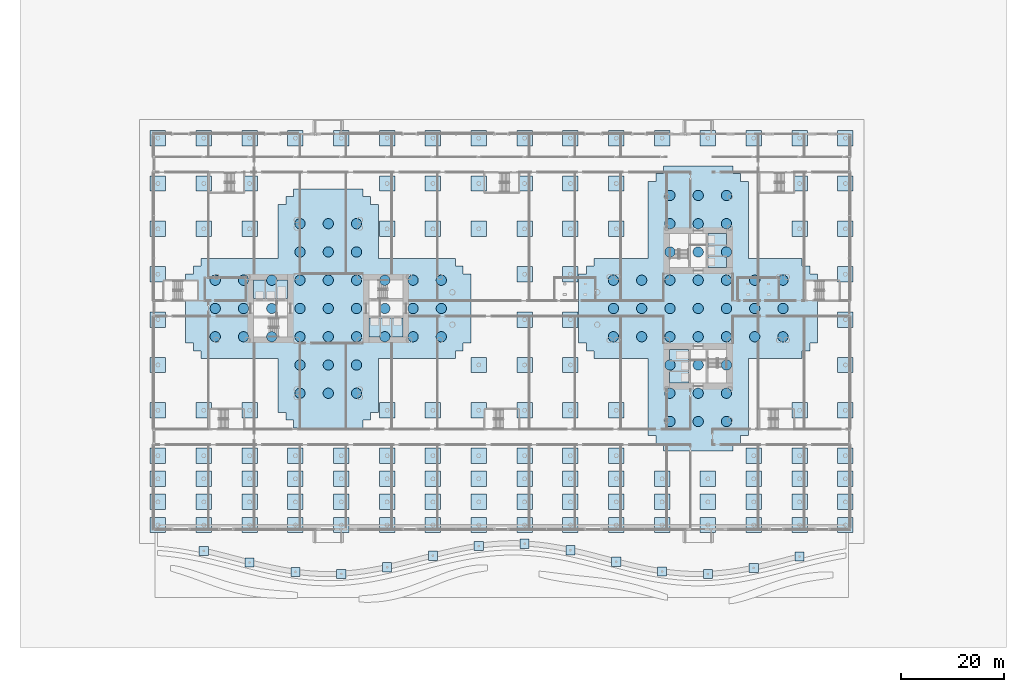
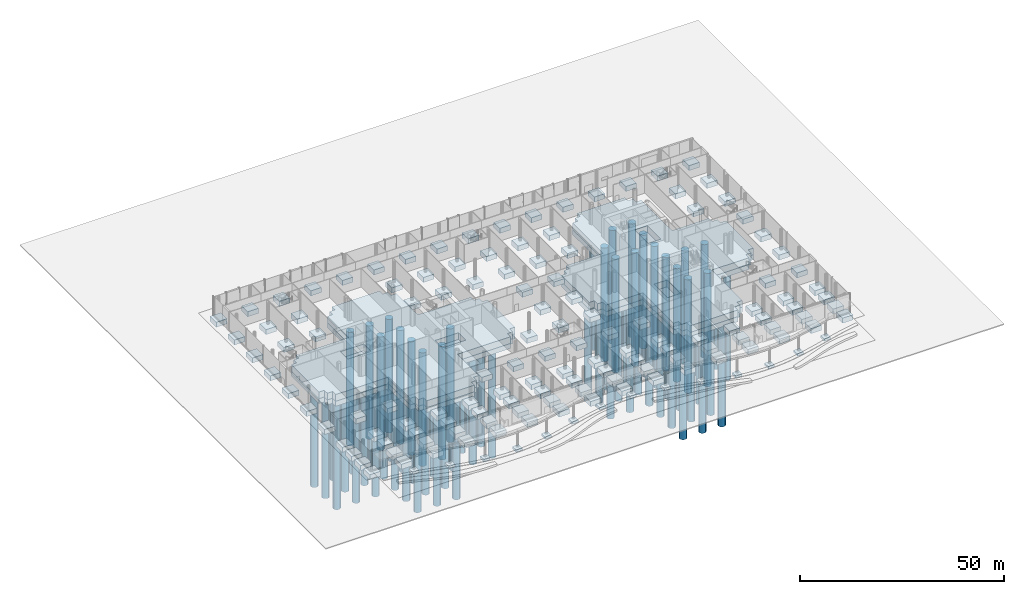
# One storey, part 1 of 75: 142 footings, 78 piles.
"""IFC4 building model written with IfcOpenShell, lengths in metres."""

from ifc_helpers import new_model, si_unit, direction, frame, origin, origin_2d, place, context, subcontext, project, spatial, polyline, rectangle, circle, outline, extrude, material, layer, layer_set, material_profile, profile_set, type_object, element, save


model = new_model("IFC4")

# Units and contexts
model_context = context("Model", 3, precision=1e-05, world=origin(), true_north=direction((0.0, 1.0)))
body_context = subcontext(model_context, "Body", "Model", "MODEL_VIEW")
ifc_project = project(units=[si_unit("LENGTHUNIT", "METRE"), si_unit("AREAUNIT", "SQUARE_METRE"), si_unit("VOLUMEUNIT", "CUBIC_METRE"), si_unit("PLANEANGLEUNIT", "RADIAN"), si_unit("MASSUNIT", "GRAM", prefix="KILO")], contexts=[model_context])

# Site, building, storey
site_placement = place(None, origin())
site = spatial("IfcSite", under=ifc_project, at=site_placement, CompositionType="ELEMENT")
building_placement = place(site_placement, origin())
building = spatial("IfcBuilding", under=site, at=building_placement, Name="Ipe Terrace Towers", CompositionType="ELEMENT")
storey_placement = place(building_placement, origin())
storey = spatial("IfcBuildingStorey", under=building, at=storey_placement, Name="L00", CompositionType="ELEMENT", Elevation=0.0)

# Piles
ifc_material_1 = material(Name="Concrete C40/50", Category="concrete")
ifc_material_profile = material_profile(ifc_material_1, circle(Radius=1.0, at=origin_2d()), Name="BORED PILE D2000")
ifc_profile_set = profile_set([ifc_material_profile], Name="Concrete C40/50")
pile_type = type_object("IfcPileType", Name="BORED PILE D2000", PredefinedType="BORED", material=ifc_profile_set)
for number, where, z_axis, x_axis, name in (
    (1, (-41.5, -16.5, -3.75), (0.0, 0.0, -1.0), (1.0, 0.0, 0.0), "Bored pile T1-BP001"),
    (2, (-36.0, -16.5, -3.75), (0.0, 0.0, -1.0), (1.0, 0.0, 0.0), "Bored pile T1-BP002"),
    (3, (-30.5, -16.5, -3.75), (0.0, 0.0, -1.0), (1.0, 0.0, 0.0), "Bored pile T1-BP003"),
    (4, (-41.5, -11.0, -3.75), (0.0, 0.0, -1.0), (1.0, 0.0, 0.0), "Bored pile T1-BP004"),
    (5, (-36.0, -11.0, -3.75), (0.0, 0.0, -1.0), (1.0, 0.0, 0.0), "Bored pile T1-BP005"),
    (6, (-30.5, -11.0, -3.75), (0.0, 0.0, -1.0), (1.0, 0.0, 0.0), "Bored pile T1-BP006"),
    (7, (-58.0, -5.5, -3.75), (0.0, 0.0, -1.0), (1.0, 0.0, 0.0), "Bored pile T1-BP007"),
    (8, (-52.5, -5.5, -3.75), (0.0, 0.0, -1.0), (1.0, 0.0, 0.0), "Bored pile T1-BP008"),
    (9, (-47.0, -5.5, -3.75), (0.0, 0.0, -1.0), (1.0, 0.0, 0.0), "Bored pile T1-BP009"),
    (10, (-41.5, -5.5, -3.75), (0.0, 0.0, -1.0), (1.0, 0.0, 0.0), "Bored pile T1-BP010"),
    (11, (-36.0, -5.5, -3.75), (0.0, 0.0, -1.0), (1.0, 0.0, 0.0), "Bored pile T1-BP011"),
    (12, (-30.5, -5.5, -3.75), (0.0, 0.0, -1.0), (1.0, 0.0, 0.0), "Bored pile T1-BP012"),
    (13, (-25.0, -5.5, -3.75), (0.0, 0.0, -1.0), (1.0, 0.0, 0.0), "Bored pile T1-BP013"),
    (14, (-19.5, -5.5, -3.75), (0.0, 0.0, -1.0), (1.0, 0.0, 0.0), "Bored pile T1-BP014"),
    (15, (-14.0, -5.5, -3.75), (0.0, 0.0, -1.0), (1.0, 0.0, 0.0), "Bored pile T1-BP015"),
    (16, (-58.0, 0.0, -3.75), (0.0, 0.0, -1.0), (1.0, 0.0, 0.0), "Bored pile T1-BP016"),
    (17, (-52.5, 0.0, -3.75), (0.0, 0.0, -1.0), (1.0, 0.0, 0.0), "Bored pile T1-BP017"),
    (18, (-47.0, 0.0, -3.75), (0.0, 0.0, -1.0), (1.0, 0.0, 0.0), "Bored pile T1-BP018"),
    (19, (-41.5, 0.0, -3.75), (0.0, 0.0, -1.0), (1.0, 0.0, 0.0), "Bored pile T1-BP019"),
    (20, (-36.0, 0.0, -3.75), (0.0, 0.0, -1.0), (1.0, 0.0, 0.0), "Bored pile T1-BP020"),
    (21, (-30.5, 0.0, -3.75), (0.0, 0.0, -1.0), (1.0, 0.0, 0.0), "Bored pile T1-BP021"),
    (22, (-25.0, 0.0, -3.75), (0.0, 0.0, -1.0), (1.0, 0.0, 0.0), "Bored pile T1-BP022"),
    (23, (-19.5, 0.0, -3.75), (0.0, 0.0, -1.0), (1.0, 0.0, 0.0), "Bored pile T1-BP023"),
    (24, (-14.0, 0.0, -3.75), (0.0, 0.0, -1.0), (1.0, 0.0, 0.0), "Bored pile T1-BP024"),
    (25, (-58.0, 5.5, -3.75), (0.0, 0.0, -1.0), (1.0, 0.0, 0.0), "Bored pile T1-BP025"),
    (26, (-52.5, 5.5, -3.75), (0.0, 0.0, -1.0), (1.0, 0.0, 0.0), "Bored pile T1-BP026"),
    (27, (-47.0, 5.5, -3.75), (0.0, 0.0, -1.0), (1.0, 0.0, 0.0), "Bored pile T1-BP027"),
    (28, (-41.5, 5.5, -3.75), (0.0, 0.0, -1.0), (1.0, 0.0, 0.0), "Bored pile T1-BP028"),
    (29, (-36.0, 5.5, -3.75), (0.0, 0.0, -1.0), (1.0, 0.0, 0.0), "Bored pile T1-BP029"),
    (30, (-30.5, 5.5, -3.75), (0.0, 0.0, -1.0), (1.0, 0.0, 0.0), "Bored pile T1-BP030"),
    (31, (-25.0, 5.5, -3.75), (0.0, 0.0, -1.0), (1.0, 0.0, 0.0), "Bored pile T1-BP031"),
    (32, (-19.5, 5.5, -3.75), (0.0, 0.0, -1.0), (1.0, 0.0, 0.0), "Bored pile T1-BP032"),
    (33, (-14.0, 5.5, -3.75), (0.0, 0.0, -1.0), (1.0, 0.0, 0.0), "Bored pile T1-BP033"),
    (34, (-41.5, 11.0, -3.75), (0.0, 0.0, -1.0), (1.0, 0.0, 0.0), "Bored pile T1-BP034"),
    (35, (-36.0, 11.0, -3.75), (0.0, 0.0, -1.0), (1.0, 0.0, 0.0), "Bored pile T1-BP035"),
    (36, (-30.5, 11.0, -3.75), (0.0, 0.0, -1.0), (1.0, 0.0, 0.0), "Bored pile T1-BP036"),
    (37, (-41.5, 16.5, -3.75), (0.0, 0.0, -1.0), (1.0, 0.0, 0.0), "Bored pile T1-BP037"),
    (38, (-36.0, 16.5, -3.75), (0.0, 0.0, -1.0), (1.0, 0.0, 0.0), "Bored pile T1-BP038"),
    (39, (-30.5, 16.5, -3.75), (0.0, 0.0, -1.0), (1.0, 0.0, 0.0), "Bored pile T1-BP039"),
    (40, (30.5, -22.0, -3.75), (0.0, 0.0, -1.0), (1.0, 0.0, 0.0), "Bored pile T2-BP001"),
    (41, (36.0, -22.0, -3.75), (0.0, 0.0, -1.0), (1.0, 0.0, 0.0), "Bored pile T2-BP002"),
    (42, (41.5, -22.0, -3.75), (0.0, 0.0, -1.0), (1.0, 0.0, 0.0), "Bored pile T2-BP003"),
    (43, (30.5, -16.5, -3.75), (0.0, 0.0, -1.0), (1.0, 0.0, 0.0), "Bored pile T2-BP004"),
    (44, (36.0, -16.5, -3.75), (0.0, 0.0, -1.0), (1.0, 0.0, 0.0), "Bored pile T2-BP005"),
    (45, (41.5, -16.5, -3.75), (0.0, 0.0, -1.0), (1.0, 0.0, 0.0), "Bored pile T2-BP006"),
    (46, (30.5, -11.0, -3.75), (0.0, 0.0, -1.0), (1.0, 0.0, 0.0), "Bored pile T2-BP007"),
    (47, (36.0, -11.0, -3.75), (0.0, 0.0, -1.0), (1.0, 0.0, 0.0), "Bored pile T2-BP008"),
    (48, (41.5, -11.0, -3.75), (0.0, 0.0, -1.0), (1.0, 0.0, 0.0), "Bored pile T2-BP009"),
    (49, (19.5, -5.5, -3.75), (0.0, 0.0, -1.0), (1.0, 0.0, 0.0), "Bored pile T2-BP010"),
    (50, (25.0, -5.5, -3.75), (0.0, 0.0, -1.0), (1.0, 0.0, 0.0), "Bored pile T2-BP011"),
    (51, (30.5, -5.5, -3.75), (0.0, 0.0, -1.0), (1.0, 0.0, 0.0), "Bored pile T2-BP012"),
    (52, (36.0, -5.5, -3.75), (0.0, 0.0, -1.0), (1.0, 0.0, 0.0), "Bored pile T2-BP013"),
    (53, (41.5, -5.5, -3.75), (0.0, 0.0, -1.0), (1.0, 0.0, 0.0), "Bored pile T2-BP014"),
    (54, (47.0, -5.5, -3.75), (0.0, 0.0, -1.0), (1.0, 0.0, 0.0), "Bored pile T2-BP015"),
    (55, (52.5, -5.5, -3.75), (0.0, 0.0, -1.0), (1.0, 0.0, 0.0), "Bored pile T2-BP016"),
    (56, (19.5, 0.0, -3.75), (0.0, 0.0, -1.0), (1.0, 0.0, 0.0), "Bored pile T2-BP017"),
    (57, (25.0, 0.0, -3.75), (0.0, 0.0, -1.0), (1.0, 0.0, 0.0), "Bored pile T2-BP018"),
    (58, (30.5, 0.0, -3.75), (0.0, 0.0, -1.0), (1.0, 0.0, 0.0), "Bored pile T2-BP019"),
    (59, (36.0, 0.0, -3.75), (0.0, 0.0, -1.0), (1.0, 0.0, 0.0), "Bored pile T2-BP020"),
    (60, (41.5, 0.0, -3.75), (0.0, 0.0, -1.0), (1.0, 0.0, 0.0), "Bored pile T2-BP021"),
    (61, (47.0, 0.0, -3.75), (0.0, 0.0, -1.0), (1.0, 0.0, 0.0), "Bored pile T2-BP022"),
    (62, (52.5, 0.0, -3.75), (0.0, 0.0, -1.0), (1.0, 0.0, 0.0), "Bored pile T2-BP023"),
    (63, (19.5, 5.5, -3.75), (0.0, 0.0, -1.0), (1.0, 0.0, 0.0), "Bored pile T2-BP024"),
    (64, (25.0, 5.5, -3.75), (0.0, 0.0, -1.0), (1.0, 0.0, 0.0), "Bored pile T2-BP025"),
    (65, (30.5, 5.5, -3.75), (0.0, 0.0, -1.0), (1.0, 0.0, 0.0), "Bored pile T2-BP026"),
    (66, (36.0, 5.5, -3.75), (0.0, 0.0, -1.0), (1.0, 0.0, 0.0), "Bored pile T2-BP027"),
    (67, (41.5, 5.5, -3.75), (0.0, 0.0, -1.0), (1.0, 0.0, 0.0), "Bored pile T2-BP028"),
    (68, (47.0, 5.5, -3.75), (0.0, 0.0, -1.0), (1.0, 0.0, 0.0), "Bored pile T2-BP029"),
    (69, (52.5, 5.5, -3.75), (0.0, 0.0, -1.0), (1.0, 0.0, 0.0), "Bored pile T2-BP030"),
    (70, (30.5, 11.0, -3.75), (0.0, 0.0, -1.0), (1.0, 0.0, 0.0), "Bored pile T2-BP031"),
    (71, (36.0, 11.0, -3.75), (0.0, 0.0, -1.0), (1.0, 0.0, 0.0), "Bored pile T2-BP032"),
    (72, (41.5, 11.0, -3.75), (0.0, 0.0, -1.0), (1.0, 0.0, 0.0), "Bored pile T2-BP033"),
    (73, (30.5, 16.5, -3.75), (0.0, 0.0, -1.0), (1.0, 0.0, 0.0), "Bored pile T2-BP034"),
    (74, (36.0, 16.5, -3.75), (0.0, 0.0, -1.0), (1.0, 0.0, 0.0), "Bored pile T2-BP035"),
    (75, (41.5, 16.5, -3.75), (0.0, 0.0, -1.0), (1.0, 0.0, 0.0), "Bored pile T2-BP036"),
    (76, (30.5, 22.0, -3.75), (0.0, 0.0, -1.0), (1.0, 0.0, 0.0), "Bored pile T2-BP037"),
    (77, (36.0, 22.0, -3.75), (0.0, 0.0, -1.0), (1.0, 0.0, 0.0), "Bored pile T2-BP038"),
    (78, (41.5, 22.0, -3.75), (0.0, 0.0, -1.0), (1.0, 0.0, 0.0), "Bored pile T2-BP039"),
):
    element("IfcPile", number, at=place(storey_placement, frame(where, z_axis=z_axis, x_axis=x_axis)), inside=storey, type_object=pile_type, Name=name, PredefinedType="BORED", context=body_context, shape_type="SweptSolid", body=[
        extrude(circle(Radius=1.0, at=origin_2d()), origin(), (0.0, 0.0, 1.0), 34.0),
    ])

# Footings
ifc_material_2 = material(Name="Concrete C40/50", Category="concrete")
footing_type_1 = type_object("IfcFootingType", Name="PAD FOOTING 1800x1800x700", PredefinedType="PAD_FOOTING", material=ifc_material_2)
for number, where, z_axis, x_axis, name in (
    (79, (-60.22998046875, -47.18798828125, -1.0), (0.0, 0.0, 1.0), (1.0, 0.0, 0.0), "Pad footing PIL01"),
    (80, (-51.31005859375, -49.43798828125, -1.0), (0.0, 0.0, 1.0), (1.0, 0.0, 0.0), "Pad footing PIL02"),
    (81, (-42.389892578125, -51.285888671875, -1.0), (0.0, 0.0, 1.0), (1.0, 0.0, 0.0), "Pad footing PIL03"),
    (82, (-33.469970703125, -51.6669921875, -1.0), (0.0, 0.0, 1.0), (1.0, 0.0, 0.0), "Pad footing PIL04"),
    (83, (-24.550048828125, -50.363037109375, -1.0), (0.0, 0.0, 1.0), (1.0, 0.0, 0.0), "Pad footing PIL05"),
    (84, (-15.6298828125, -48.1240234375, -1.0), (0.0, 0.0, 1.0), (1.0, 0.0, 0.0), "Pad footing PIL06"),
    (85, (-6.7099609375, -46.239990234375, -1.0), (0.0, 0.0, 1.0), (1.0, 0.0, 0.0), "Pad footing PIL07"),
    (86, (2.2099609375, -45.7958984375, -1.0), (0.0, 0.0, 1.0), (1.0, 0.0, 0.0), "Pad footing PIL08"),
    (87, (11.1298828125, -47.047119140625, -1.0), (0.0, 0.0, 1.0), (1.0, 0.0, 0.0), "Pad footing PIL09"),
    (88, (20.050048828125, -49.27392578125, -1.0), (0.0, 0.0, 1.0), (1.0, 0.0, 0.0), "Pad footing PIL10"),
    (89, (28.969970703125, -51.193115234375, -1.0), (0.0, 0.0, 1.0), (1.0, 0.0, 0.0), "Pad footing PIL11"),
    (90, (37.889892578125, -51.698974609375, -1.0), (0.0, 0.0, 1.0), (1.0, 0.0, 0.0), "Pad footing PIL12"),
    (91, (46.81005859375, -50.5009765625, -1.0), (0.0, 0.0, 1.0), (1.0, 0.0, 0.0), "Pad footing PIL13"),
    (92, (55.72998046875, -48.2890625, -1.0), (0.0, 0.0, 1.0), (1.0, 0.0, 0.0), "Pad footing PIL14"),
):
    element("IfcFooting", number, at=place(storey_placement, frame(where, z_axis=z_axis, x_axis=x_axis)), inside=storey, type_object=footing_type_1, Name=name, PredefinedType="PAD_FOOTING", context=body_context, shape_type="SweptSolid", body=[
        extrude(rectangle(XDim=1.800048828125, YDim=1.800048828125, at=origin_2d()), origin(), (0.0, 0.0, 1.0), 0.699951171875),
    ])
ifc_material_3 = material(Name="Concrete C40/50", Category="concrete")
footing_type_2 = type_object("IfcFootingType", Name="PAD FOOTING 3000x3000x1500", PredefinedType="PAD_FOOTING", material=ifc_material_3)
for number, where, z_axis, x_axis, name in (
    (93, (-69.14990234375, -42.14990234375, -1.89990234375), (0.0, 0.0, 1.0), (1.0, 0.0, 0.0), "Pad footing PD-C-A01"),
    (94, (-60.22998046875, -42.14990234375, -1.89990234375), (0.0, 0.0, 1.0), (1.0, 0.0, 0.0), "Pad footing PD-C-A02"),
    (95, (-51.31005859375, -42.14990234375, -1.89990234375), (0.0, 0.0, 1.0), (1.0, 0.0, 0.0), "Pad footing PD-C-A03"),
    (96, (-42.389892578125, -42.14990234375, -1.89990234375), (0.0, 0.0, 1.0), (1.0, 0.0, 0.0), "Pad footing PD-C-A04"),
    (97, (-33.469970703125, -42.14990234375, -1.89990234375), (0.0, 0.0, 1.0), (1.0, 0.0, 0.0), "Pad footing PD-C-A05"),
    (98, (-24.550048828125, -42.14990234375, -1.89990234375), (0.0, 0.0, 1.0), (1.0, 0.0, 0.0), "Pad footing PD-C-A06"),
    (99, (-15.6298828125, -42.14990234375, -1.89990234375), (0.0, 0.0, 1.0), (1.0, 0.0, 0.0), "Pad footing PD-C-A07"),
    (100, (-6.7099609375, -42.14990234375, -1.89990234375), (0.0, 0.0, 1.0), (1.0, 0.0, 0.0), "Pad footing PD-C-A08"),
    (101, (2.2099609375, -42.14990234375, -1.89990234375), (0.0, 0.0, 1.0), (1.0, 0.0, 0.0), "Pad footing PD-C-A09"),
    (102, (11.1298828125, -42.14990234375, -1.89990234375), (0.0, 0.0, 1.0), (1.0, 0.0, 0.0), "Pad footing PD-C-A10"),
    (103, (20.050048828125, -42.14990234375, -1.89990234375), (0.0, 0.0, 1.0), (1.0, 0.0, 0.0), "Pad footing PD-C-A11"),
    (104, (28.969970703125, -42.14990234375, -1.89990234375), (0.0, 0.0, 1.0), (1.0, 0.0, 0.0), "Pad footing PD-C-A12"),
    (105, (37.889892578125, -42.14990234375, -1.89990234375), (0.0, 0.0, 1.0), (1.0, 0.0, 0.0), "Pad footing PD-C-A13"),
    (106, (46.81005859375, -42.14990234375, -1.89990234375), (0.0, 0.0, 1.0), (1.0, 0.0, 0.0), "Pad footing PD-C-A14"),
    (107, (55.72998046875, -42.14990234375, -1.89990234375), (0.0, 0.0, 1.0), (1.0, 0.0, 0.0), "Pad footing PD-C-A15"),
    (108, (64.64990234375, -42.14990234375, -1.89990234375), (0.0, 0.0, 1.0), (1.0, 0.0, 0.0), "Pad footing PD-C-A16"),
    (109, (-69.14990234375, -37.64990234375, -1.89990234375), (0.0, 0.0, 1.0), (1.0, 0.0, 0.0), "Pad footing PD-C-B01"),
    (110, (-60.22998046875, -37.64990234375, -1.89990234375), (0.0, 0.0, 1.0), (1.0, 0.0, 0.0), "Pad footing PD-C-B02"),
    (111, (-51.31005859375, -37.64990234375, -1.89990234375), (0.0, 0.0, 1.0), (1.0, 0.0, 0.0), "Pad footing PD-C-B03"),
    (112, (-42.389892578125, -37.64990234375, -1.89990234375), (0.0, 0.0, 1.0), (1.0, 0.0, 0.0), "Pad footing PD-C-B04"),
    (113, (-33.469970703125, -37.64990234375, -1.89990234375), (0.0, 0.0, 1.0), (1.0, 0.0, 0.0), "Pad footing PD-C-B05"),
    (114, (-24.550048828125, -37.64990234375, -1.89990234375), (0.0, 0.0, 1.0), (1.0, 0.0, 0.0), "Pad footing PD-C-B06"),
    (115, (-15.6298828125, -37.64990234375, -1.89990234375), (0.0, 0.0, 1.0), (1.0, 0.0, 0.0), "Pad footing PD-C-B07"),
    (116, (-6.7099609375, -37.64990234375, -1.89990234375), (0.0, 0.0, 1.0), (1.0, 0.0, 0.0), "Pad footing PD-C-B08"),
    (117, (2.2099609375, -37.64990234375, -1.89990234375), (0.0, 0.0, 1.0), (1.0, 0.0, 0.0), "Pad footing PD-C-B09"),
    (118, (11.1298828125, -37.64990234375, -1.89990234375), (0.0, 0.0, 1.0), (1.0, 0.0, 0.0), "Pad footing PD-C-B10"),
    (119, (20.050048828125, -37.64990234375, -1.89990234375), (0.0, 0.0, 1.0), (1.0, 0.0, 0.0), "Pad footing PD-C-B11"),
    (120, (28.969970703125, -37.64990234375, -1.89990234375), (0.0, 0.0, 1.0), (1.0, 0.0, 0.0), "Pad footing PD-C-B12"),
    (121, (37.889892578125, -37.64990234375, -1.89990234375), (0.0, 0.0, 1.0), (1.0, 0.0, 0.0), "Pad footing PD-C-B13"),
    (122, (46.81005859375, -37.64990234375, -1.89990234375), (0.0, 0.0, 1.0), (1.0, 0.0, 0.0), "Pad footing PD-C-B14"),
    (123, (55.72998046875, -37.64990234375, -1.89990234375), (0.0, 0.0, 1.0), (1.0, 0.0, 0.0), "Pad footing PD-C-B15"),
    (124, (64.64990234375, -37.64990234375, -1.89990234375), (0.0, 0.0, 1.0), (1.0, 0.0, 0.0), "Pad footing PD-C-B16"),
    (125, (-69.14990234375, -33.14990234375, -1.89990234375), (0.0, 0.0, 1.0), (1.0, 0.0, 0.0), "Pad footing PD-C-C01"),
    (126, (-60.22998046875, -33.14990234375, -1.89990234375), (0.0, 0.0, 1.0), (1.0, 0.0, 0.0), "Pad footing PD-C-C02"),
    (127, (-51.31005859375, -33.14990234375, -1.89990234375), (0.0, 0.0, 1.0), (1.0, 0.0, 0.0), "Pad footing PD-C-C03"),
    (128, (-42.389892578125, -33.14990234375, -1.89990234375), (0.0, 0.0, 1.0), (1.0, 0.0, 0.0), "Pad footing PD-C-C04"),
    (129, (-33.469970703125, -33.14990234375, -1.89990234375), (0.0, 0.0, 1.0), (1.0, 0.0, 0.0), "Pad footing PD-C-C05"),
    (130, (-24.550048828125, -33.14990234375, -1.89990234375), (0.0, 0.0, 1.0), (1.0, 0.0, 0.0), "Pad footing PD-C-C06"),
    (131, (-15.6298828125, -33.14990234375, -1.89990234375), (0.0, 0.0, 1.0), (1.0, 0.0, 0.0), "Pad footing PD-C-C07"),
    (132, (-6.7099609375, -33.14990234375, -1.89990234375), (0.0, 0.0, 1.0), (1.0, 0.0, 0.0), "Pad footing PD-C-C08"),
    (133, (2.2099609375, -33.14990234375, -1.89990234375), (0.0, 0.0, 1.0), (1.0, 0.0, 0.0), "Pad footing PD-C-C09"),
    (134, (11.1298828125, -33.14990234375, -1.89990234375), (0.0, 0.0, 1.0), (1.0, 0.0, 0.0), "Pad footing PD-C-C10"),
    (135, (20.050048828125, -33.14990234375, -1.89990234375), (0.0, 0.0, 1.0), (1.0, 0.0, 0.0), "Pad footing PD-C-C11"),
    (136, (28.969970703125, -33.14990234375, -1.89990234375), (0.0, 0.0, 1.0), (1.0, 0.0, 0.0), "Pad footing PD-C-C12"),
    (137, (37.889892578125, -33.14990234375, -1.89990234375), (0.0, 0.0, 1.0), (1.0, 0.0, 0.0), "Pad footing PD-C-C13"),
    (138, (46.81005859375, -33.14990234375, -1.89990234375), (0.0, 0.0, 1.0), (1.0, 0.0, 0.0), "Pad footing PD-C-C14"),
    (139, (55.72998046875, -33.14990234375, -1.89990234375), (0.0, 0.0, 1.0), (1.0, 0.0, 0.0), "Pad footing PD-C-C15"),
    (140, (64.64990234375, -33.14990234375, -1.89990234375), (0.0, 0.0, 1.0), (1.0, 0.0, 0.0), "Pad footing PD-C-C16"),
    (141, (-69.14990234375, -28.64990234375, -1.89990234375), (0.0, 0.0, 1.0), (1.0, 0.0, 0.0), "Pad footing PD-C-D01"),
    (142, (-60.22998046875, -28.64990234375, -1.89990234375), (0.0, 0.0, 1.0), (1.0, 0.0, 0.0), "Pad footing PD-C-D02"),
    (143, (-51.31005859375, -28.64990234375, -1.89990234375), (0.0, 0.0, 1.0), (1.0, 0.0, 0.0), "Pad footing PD-C-D03"),
    (144, (-42.389892578125, -28.64990234375, -1.89990234375), (0.0, 0.0, 1.0), (1.0, 0.0, 0.0), "Pad footing PD-C-D04"),
    (145, (-33.469970703125, -28.64990234375, -1.89990234375), (0.0, 0.0, 1.0), (1.0, 0.0, 0.0), "Pad footing PD-C-D05"),
    (146, (-24.550048828125, -28.64990234375, -1.89990234375), (0.0, 0.0, 1.0), (1.0, 0.0, 0.0), "Pad footing PD-C-D06"),
    (147, (-15.6298828125, -28.64990234375, -1.89990234375), (0.0, 0.0, 1.0), (1.0, 0.0, 0.0), "Pad footing PD-C-D07"),
    (148, (-6.7099609375, -28.64990234375, -1.89990234375), (0.0, 0.0, 1.0), (1.0, 0.0, 0.0), "Pad footing PD-C-D08"),
    (149, (2.2099609375, -28.64990234375, -1.89990234375), (0.0, 0.0, 1.0), (1.0, 0.0, 0.0), "Pad footing PD-C-D09"),
    (150, (11.1298828125, -28.64990234375, -1.89990234375), (0.0, 0.0, 1.0), (1.0, 0.0, 0.0), "Pad footing PD-C-D10"),
    (151, (20.050048828125, -28.64990234375, -1.89990234375), (0.0, 0.0, 1.0), (1.0, 0.0, 0.0), "Pad footing PD-C-D11"),
    (152, (46.81005859375, -28.64990234375, -1.89990234375), (0.0, 0.0, 1.0), (1.0, 0.0, 0.0), "Pad footing PD-C-D14"),
    (153, (55.72998046875, -28.64990234375, -1.89990234375), (0.0, 0.0, 1.0), (1.0, 0.0, 0.0), "Pad footing PD-C-D15"),
    (154, (64.64990234375, -28.64990234375, -1.89990234375), (0.0, 0.0, 1.0), (1.0, 0.0, 0.0), "Pad footing PD-C-D16"),
    (155, (-69.14990234375, -19.821044921875, -1.89990234375), (0.0, 0.0, 1.0), (1.0, 0.0, 0.0), "Pad footing PD-C-E01"),
    (156, (-60.22998046875, -19.821044921875, -1.89990234375), (0.0, 0.0, 1.0), (1.0, 0.0, 0.0), "Pad footing PD-C-E02"),
    (157, (-51.31005859375, -19.821044921875, -1.89990234375), (0.0, 0.0, 1.0), (1.0, 0.0, 0.0), "Pad footing PD-C-E03"),
    (158, (-24.550048828125, -19.821044921875, -1.89990234375), (0.0, 0.0, 1.0), (1.0, 0.0, 0.0), "Pad footing PD-C-E06"),
    (159, (-15.6298828125, -19.821044921875, -1.89990234375), (0.0, 0.0, 1.0), (1.0, 0.0, 0.0), "Pad footing PD-C-E07"),
    (160, (-6.7099609375, -19.821044921875, -1.89990234375), (0.0, 0.0, 1.0), (1.0, 0.0, 0.0), "Pad footing PD-C-E08"),
    (161, (2.2099609375, -19.821044921875, -1.89990234375), (0.0, 0.0, 1.0), (1.0, 0.0, 0.0), "Pad footing PD-C-E09"),
    (162, (11.1298828125, -19.821044921875, -1.89990234375), (0.0, 0.0, 1.0), (1.0, 0.0, 0.0), "Pad footing PD-C-E10"),
    (163, (20.050048828125, -19.821044921875, -1.89990234375), (0.0, 0.0, 1.0), (1.0, 0.0, 0.0), "Pad footing PD-C-E11"),
    (164, (55.72998046875, -19.821044921875, -1.89990234375), (0.0, 0.0, 1.0), (1.0, 0.0, 0.0), "Pad footing PD-C-E15"),
    (165, (64.64990234375, -19.821044921875, -1.89990234375), (0.0, 0.0, 1.0), (1.0, 0.0, 0.0), "Pad footing PD-C-E16"),
    (166, (-69.14990234375, -10.992919921875, -1.89990234375), (0.0, 0.0, 1.0), (1.0, 0.0, 0.0), "Pad footing PD-C-F01"),
    (167, (-6.7099609375, -10.992919921875, -1.89990234375), (0.0, 0.0, 1.0), (1.0, 0.0, 0.0), "Pad footing PD-C-F08"),
    (168, (2.2099609375, -10.992919921875, -1.89990234375), (0.0, 0.0, 1.0), (1.0, 0.0, 0.0), "Pad footing PD-C-F09"),
    (169, (11.1298828125, -10.992919921875, -1.89990234375), (0.0, 0.0, 1.0), (1.0, 0.0, 0.0), "Pad footing PD-C-F10"),
    (170, (64.64990234375, -10.992919921875, -1.89990234375), (0.0, 0.0, 1.0), (1.0, 0.0, 0.0), "Pad footing PD-C-F16"),
    (171, (-69.14990234375, -2.1640625, -1.89990234375), (0.0, 0.0, 1.0), (1.0, 0.0, 0.0), "Pad footing PD-C-G01"),
    (172, (2.2099609375, -2.1640625, -1.89990234375), (0.0, 0.0, 1.0), (1.0, 0.0, 0.0), "Pad footing PD-C-G09"),
    (173, (11.1298828125, -2.1640625, -1.89990234375), (0.0, 0.0, 1.0), (1.0, 0.0, 0.0), "Pad footing PD-C-G10"),
    (174, (64.64990234375, -2.1640625, -1.89990234375), (0.0, 0.0, 1.0), (1.0, 0.0, 0.0), "Pad footing PD-C-G16"),
    (175, (-69.14990234375, 6.6640625, -1.89990234375), (0.0, 0.0, 1.0), (1.0, 0.0, 0.0), "Pad footing PD-C-H01"),
    (176, (2.2099609375, 6.6640625, -1.89990234375), (0.0, 0.0, 1.0), (1.0, 0.0, 0.0), "Pad footing PD-C-H09"),
    (177, (11.1298828125, 6.6640625, -1.89990234375), (0.0, 0.0, 1.0), (1.0, 0.0, 0.0), "Pad footing PD-C-H10"),
    (178, (64.64990234375, 6.6640625, -1.89990234375), (0.0, 0.0, 1.0), (1.0, 0.0, 0.0), "Pad footing PD-C-H16"),
    (179, (-69.14990234375, 15.492919921875, -1.89990234375), (0.0, 0.0, 1.0), (1.0, 0.0, 0.0), "Pad footing PD-C-I01"),
    (180, (-60.22998046875, 15.492919921875, -1.89990234375), (0.0, 0.0, 1.0), (1.0, 0.0, 0.0), "Pad footing PD-C-I02"),
    (181, (-51.31005859375, 15.492919921875, -1.89990234375), (0.0, 0.0, 1.0), (1.0, 0.0, 0.0), "Pad footing PD-C-I03"),
    (182, (-24.550048828125, 15.492919921875, -1.89990234375), (0.0, 0.0, 1.0), (1.0, 0.0, 0.0), "Pad footing PD-C-I06"),
    (183, (-15.6298828125, 15.492919921875, -1.89990234375), (0.0, 0.0, 1.0), (1.0, 0.0, 0.0), "Pad footing PD-C-I07"),
    (184, (-6.7099609375, 15.492919921875, -1.89990234375), (0.0, 0.0, 1.0), (1.0, 0.0, 0.0), "Pad footing PD-C-I08"),
    (185, (2.2099609375, 15.492919921875, -1.89990234375), (0.0, 0.0, 1.0), (1.0, 0.0, 0.0), "Pad footing PD-C-I09"),
    (186, (11.1298828125, 15.492919921875, -1.89990234375), (0.0, 0.0, 1.0), (1.0, 0.0, 0.0), "Pad footing PD-C-I10"),
    (187, (20.050048828125, 15.492919921875, -1.89990234375), (0.0, 0.0, 1.0), (1.0, 0.0, 0.0), "Pad footing PD-C-I11"),
    (188, (55.72998046875, 15.492919921875, -1.89990234375), (0.0, 0.0, 1.0), (1.0, 0.0, 0.0), "Pad footing PD-C-I15"),
    (189, (64.64990234375, 15.492919921875, -1.89990234375), (0.0, 0.0, 1.0), (1.0, 0.0, 0.0), "Pad footing PD-C-I16"),
    (190, (-69.14990234375, 24.321044921875, -1.89990234375), (0.0, 0.0, 1.0), (1.0, 0.0, 0.0), "Pad footing PD-C-J01"),
    (191, (-60.22998046875, 24.321044921875, -1.89990234375), (0.0, 0.0, 1.0), (1.0, 0.0, 0.0), "Pad footing PD-C-J02"),
    (192, (-51.31005859375, 24.321044921875, -1.89990234375), (0.0, 0.0, 1.0), (1.0, 0.0, 0.0), "Pad footing PD-C-J03"),
    (193, (-24.550048828125, 24.321044921875, -1.89990234375), (0.0, 0.0, 1.0), (1.0, 0.0, 0.0), "Pad footing PD-C-J06"),
    (194, (-15.6298828125, 24.321044921875, -1.89990234375), (0.0, 0.0, 1.0), (1.0, 0.0, 0.0), "Pad footing PD-C-J07"),
    (195, (-6.7099609375, 24.321044921875, -1.89990234375), (0.0, 0.0, 1.0), (1.0, 0.0, 0.0), "Pad footing PD-C-J08"),
    (196, (2.2099609375, 24.321044921875, -1.89990234375), (0.0, 0.0, 1.0), (1.0, 0.0, 0.0), "Pad footing PD-C-J09"),
    (197, (11.1298828125, 24.321044921875, -1.89990234375), (0.0, 0.0, 1.0), (1.0, 0.0, 0.0), "Pad footing PD-C-J10"),
    (198, (20.050048828125, 24.321044921875, -1.89990234375), (0.0, 0.0, 1.0), (1.0, 0.0, 0.0), "Pad footing PD-C-J11"),
    (199, (55.72998046875, 24.321044921875, -1.89990234375), (0.0, 0.0, 1.0), (1.0, 0.0, 0.0), "Pad footing PD-C-J15"),
    (200, (64.64990234375, 24.321044921875, -1.89990234375), (0.0, 0.0, 1.0), (1.0, 0.0, 0.0), "Pad footing PD-C-J16"),
    (201, (-69.14990234375, 33.14990234375, -1.89990234375), (0.0, 0.0, 1.0), (1.0, 0.0, 0.0), "Pad footing PD-C-K01"),
    (202, (-60.22998046875, 33.14990234375, -1.89990234375), (0.0, 0.0, 1.0), (1.0, 0.0, 0.0), "Pad footing PD-C-K02"),
    (203, (-51.31005859375, 33.14990234375, -1.89990234375), (0.0, 0.0, 1.0), (1.0, 0.0, 0.0), "Pad footing PD-C-K03"),
    (204, (-42.389892578125, 33.14990234375, -1.89990234375), (0.0, 0.0, 1.0), (1.0, 0.0, 0.0), "Pad footing PD-C-K04"),
    (205, (-33.469970703125, 33.14990234375, -1.89990234375), (0.0, 0.0, 1.0), (1.0, 0.0, 0.0), "Pad footing PD-C-K05"),
    (206, (-24.550048828125, 33.14990234375, -1.89990234375), (0.0, 0.0, 1.0), (1.0, 0.0, 0.0), "Pad footing PD-C-K06"),
    (207, (-15.6298828125, 33.14990234375, -1.89990234375), (0.0, 0.0, 1.0), (1.0, 0.0, 0.0), "Pad footing PD-C-K07"),
    (208, (-6.7099609375, 33.14990234375, -1.89990234375), (0.0, 0.0, 1.0), (1.0, 0.0, 0.0), "Pad footing PD-C-K08"),
    (209, (2.2099609375, 33.14990234375, -1.89990234375), (0.0, 0.0, 1.0), (1.0, 0.0, 0.0), "Pad footing PD-C-K09"),
    (210, (11.1298828125, 33.14990234375, -1.89990234375), (0.0, 0.0, 1.0), (1.0, 0.0, 0.0), "Pad footing PD-C-K10"),
    (211, (20.050048828125, 33.14990234375, -1.89990234375), (0.0, 0.0, 1.0), (1.0, 0.0, 0.0), "Pad footing PD-C-K11"),
    (212, (28.969970703125, 33.14990234375, -1.89990234375), (0.0, 0.0, 1.0), (1.0, 0.0, 0.0), "Pad footing PD-C-K12"),
    (213, (37.889892578125, 33.14990234375, -1.89990234375), (0.0, 0.0, 1.0), (1.0, 0.0, 0.0), "Pad footing PD-C-K13"),
    (214, (46.81005859375, 33.14990234375, -1.89990234375), (0.0, 0.0, 1.0), (1.0, 0.0, 0.0), "Pad footing PD-C-K14"),
    (215, (55.72998046875, 33.14990234375, -1.89990234375), (0.0, 0.0, 1.0), (1.0, 0.0, 0.0), "Pad footing PD-C-K15"),
    (216, (64.64990234375, 33.14990234375, -1.89990234375), (0.0, 0.0, 1.0), (1.0, 0.0, 0.0), "Pad footing PD-C-K16"),
):
    element("IfcFooting", number, at=place(storey_placement, frame(where, z_axis=z_axis, x_axis=x_axis)), inside=storey, type_object=footing_type_2, Name=name, PredefinedType="PAD_FOOTING", context=body_context, shape_type="SweptSolid", body=[
        extrude(rectangle(XDim=3.0, YDim=3.0, at=origin_2d()), origin(), (0.0, 0.0, 1.0), 1.5),
    ])
ifc_material_4 = material(Name="Concrete C50/60", Category="concrete")
ifc_layer_1 = layer(ifc_material_4, 1.5)
ifc_layer_set_1 = layer_set([ifc_layer_1], Name="PILED RAFT BASE PLATE 1500")
footing_type_3 = type_object("IfcFootingType", Name="PILED RAFT BASE PLATE 1500", PredefinedType="PILE_CAP", material=ifc_layer_set_1)
footing_1_placement = place(storey_placement, frame((0.0, 0.0, -3.89990234375)))
element("IfcFooting", 217, at=footing_1_placement, inside=storey, type_object=footing_type_3, Name="Piled raft base plate T1", PredefinedType="PILE_CAP", context=body_context, shape_type="SweptSolid", body=[
    extrude(outline(polyline([(-63.75, -6.75), (-63.75, 6.75), (-62.25, 6.75), (-62.25, 8.25), (-60.75, 8.25), (-60.75, 9.75), (-45.75, 9.75), (-45.75, 20.25), (-44.25, 20.25), (-44.25, 21.75), (-42.75, 21.75), (-42.75, 23.25), (-29.25, 23.25), (-29.25, 21.75), (-27.75, 21.75), (-27.75, 20.25), (-26.25, 20.25), (-26.25, 9.75), (-11.25, 9.75), (-11.25, 8.25), (-9.75, 8.25), (-9.75, 6.75), (-8.25, 6.75), (-8.25, -6.75), (-9.75, -6.75), (-9.75, -8.25), (-11.25, -8.25), (-11.25, -9.75), (-26.25, -9.75), (-26.25, -20.25), (-27.75, -20.25), (-27.75, -21.75), (-29.25, -21.75), (-29.25, -23.25), (-42.75, -23.25), (-42.75, -21.75), (-44.25, -21.75), (-44.25, -20.25), (-45.75, -20.25), (-45.75, -9.75), (-60.75, -9.75), (-60.75, -8.25), (-62.25, -8.25), (-62.25, -6.75), (-63.75, -6.75)])), origin(), (0.0, 0.0, 1.0), 1.5),
])
footing_2_placement = place(storey_placement, frame((0.0, 0.0, -3.89990234375)))
element("IfcFooting", 218, at=footing_2_placement, inside=storey, type_object=footing_type_3, Name="Piled raft base plate T2", PredefinedType="PILE_CAP", context=body_context, shape_type="SweptSolid", body=[
    extrude(outline(polyline([(12.75, -6.75), (12.75, 6.75), (14.25, 6.75), (14.25, 8.25), (15.75, 8.25), (15.75, 9.75), (26.25, 9.75), (26.25, 24.75), (27.75, 24.75), (27.75, 26.25), (29.25, 26.25), (29.25, 27.75), (42.75, 27.75), (42.75, 26.25), (44.25, 26.25), (44.25, 24.75), (45.75, 24.75), (45.75, 9.75), (56.25, 9.75), (56.25, 8.25), (57.75, 8.25), (57.75, 6.75), (59.25, 6.75), (59.25, -6.75), (57.75, -6.75), (57.75, -8.25), (56.25, -8.25), (56.25, -9.75), (45.75, -9.75), (45.75, -24.75), (44.25, -24.75), (44.25, -26.25), (42.75, -26.25), (42.75, -27.75), (29.25, -27.75), (29.25, -26.25), (27.75, -26.25), (27.75, -24.75), (26.25, -24.75), (26.25, -9.75), (15.75, -9.75), (15.75, -8.25), (14.25, -8.25), (14.25, -6.75), (12.75, -6.75)])), origin(), (0.0, 0.0, 1.0), 1.5),
])
ifc_material_5 = material(Name="Concrete C50/60", Category="concrete")
ifc_layer_2 = layer(ifc_material_5, 2.0)
ifc_layer_set_2 = layer_set([ifc_layer_2], Name="PILED RAFT UPPER LAYER 2000")
footing_type_4 = type_object("IfcFootingType", Name="PILED RAFT UPPER LAYER 2000", PredefinedType="PILE_CAP", material=ifc_layer_set_2)
footing_3_placement = place(storey_placement, frame((0.0, 0.0, -2.39990234375)))
element("IfcFooting", 219, at=footing_3_placement, inside=storey, type_object=footing_type_4, Name="Piled raft upper layer T1", PredefinedType="PILE_CAP", context=body_context, shape_type="SweptSolid", body=[
    extrude(outline(polyline([(-63.75, -6.75), (-63.75, 6.75), (-62.25, 6.75), (-62.25, 8.25), (-60.75, 8.25), (-60.75, 9.75), (-45.75, 9.75), (-45.75, 20.25), (-44.25, 20.25), (-44.25, 21.75), (-42.75, 21.75), (-42.75, 23.25), (-29.25, 23.25), (-29.25, 21.75), (-27.75, 21.75), (-27.75, 20.25), (-26.25, 20.25), (-26.25, 9.75), (-11.25, 9.75), (-11.25, 8.25), (-9.75, 8.25), (-9.75, 6.75), (-8.25, 6.75), (-8.25, -6.75), (-9.75, -6.75), (-9.75, -8.25), (-11.25, -8.25), (-11.25, -9.75), (-26.25, -9.75), (-26.25, -20.25), (-27.75, -20.25), (-27.75, -21.75), (-29.25, -21.75), (-29.25, -23.25), (-42.75, -23.25), (-42.75, -21.75), (-44.25, -21.75), (-44.25, -20.25), (-45.75, -20.25), (-45.75, -9.75), (-60.75, -9.75), (-60.75, -8.25), (-62.25, -8.25), (-62.25, -6.75), (-63.75, -6.75)]), holes=[polyline([(-50.550048828125, 5.550048828125), (-43.949951171875, 5.550048828125), (-43.949951171875, 1.89990234375), (-50.550048828125, 1.89990234375), (-50.550048828125, 5.550048828125)]), polyline([(-28.050048828125, -1.89990234375), (-21.449951171875, -1.89990234375), (-21.449951171875, -5.550048828125), (-28.050048828125, -5.550048828125), (-28.050048828125, -1.89990234375)])]), origin(), (0.0, 0.0, 1.0), 2.0),
])
footing_4_placement = place(storey_placement, frame((0.0, 0.0, -2.39990234375)))
element("IfcFooting", 220, at=footing_4_placement, inside=storey, type_object=footing_type_4, Name="Piled raft upper layer T2", PredefinedType="PILE_CAP", context=body_context, shape_type="SweptSolid", body=[
    extrude(outline(polyline([(12.75, -6.75), (12.75, 6.75), (14.25, 6.75), (14.25, 8.25), (15.75, 8.25), (15.75, 9.75), (26.25, 9.75), (26.25, 24.75), (27.75, 24.75), (27.75, 26.25), (29.25, 26.25), (29.25, 27.75), (42.75, 27.75), (42.75, 26.25), (44.25, 26.25), (44.25, 24.75), (45.75, 24.75), (45.75, 9.75), (56.25, 9.75), (56.25, 8.25), (57.75, 8.25), (57.75, 6.75), (59.25, 6.75), (59.25, -6.75), (57.75, -6.75), (57.75, -8.25), (56.25, -8.25), (56.25, -9.75), (45.75, -9.75), (45.75, -24.75), (44.25, -24.75), (44.25, -26.25), (42.75, -26.25), (42.75, -27.75), (29.25, -27.75), (29.25, -26.25), (27.75, -26.25), (27.75, -24.75), (26.25, -24.75), (26.25, -9.75), (15.75, -9.75), (15.75, -8.25), (14.25, -8.25), (14.25, -6.75), (12.75, -6.75)]), holes=[polyline([(30.449951171875, -14.550048828125), (30.449951171875, -7.949951171875), (34.10009765625, -7.949951171875), (34.10009765625, -14.550048828125), (30.449951171875, -14.550048828125)]), polyline([(37.89990234375, 7.949951171875), (37.89990234375, 14.550048828125), (41.550048828125, 14.550048828125), (41.550048828125, 7.949951171875), (37.89990234375, 7.949951171875)])]), origin(), (0.0, 0.0, 1.0), 2.0),
])

save(model, "model.ifc")
